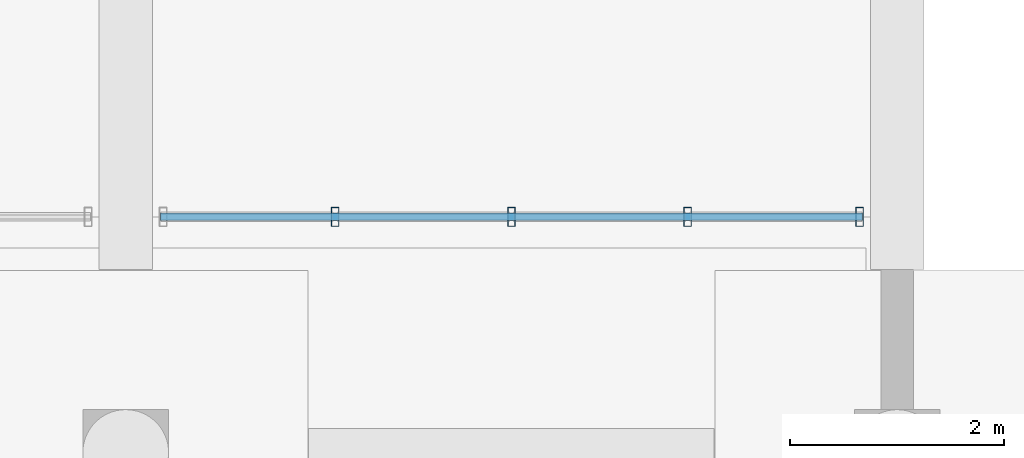
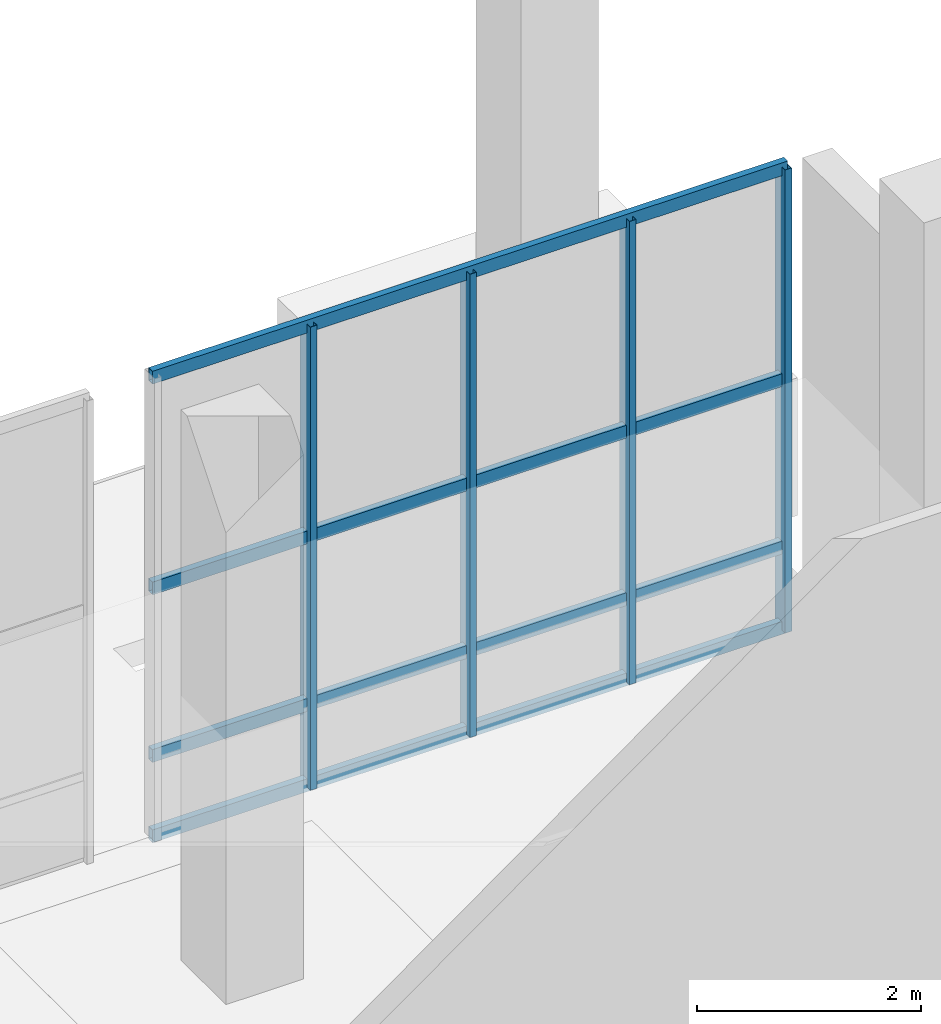
# One storey, part 22 of 45: 8 members, 1 element without a shape of its own.
"""IFC4 building model written with IfcOpenShell, lengths in metres."""

from ifc_helpers import new_model, si_unit, direction, frame, origin, origin_2d, place, context, subcontext, project, spatial, hollow_rectangle, extrude, material, material_profile, profile_set, type_object, element, aggregate, save


model = new_model("IFC4")

# Units and contexts
model_context = context("Model", 3, precision=1e-05, world=origin(), true_north=direction((0.0, 1.0)))
body_context = subcontext(model_context, "Body", "Model", "MODEL_VIEW")
ifc_project = project(units=[si_unit("LENGTHUNIT", "METRE"), si_unit("AREAUNIT", "SQUARE_METRE"), si_unit("VOLUMEUNIT", "CUBIC_METRE"), si_unit("PLANEANGLEUNIT", "RADIAN"), si_unit("MASSUNIT", "GRAM", prefix="KILO")], contexts=[model_context])

# Site, building, storey
site_placement = place(None, origin())
site = spatial("IfcSite", under=ifc_project, at=site_placement, CompositionType="ELEMENT")
building_placement = place(site_placement, origin())
building = spatial("IfcBuilding", under=site, at=building_placement, Name="Yarey Park Central Fire Station", CompositionType="ELEMENT")
storey_placement = place(building_placement, origin())
storey = spatial("IfcBuildingStorey", under=building, at=storey_placement, Name="L01", CompositionType="ELEMENT", Elevation=0.0)

# Curtain wall, members
ifc_material = material(Name="Anodized Aluminium Frame", Category="aluminium")
curtain_wall_type = type_object("IfcCurtainWallType", Name="ENV_CW_HQ_L01", PredefinedType="NOTDEFINED", material=ifc_material)
curtain_wall_placement = place(storey_placement, origin())
curtain_wall = element("IfcCurtainWall", 1, at=curtain_wall_placement, inside=storey, type_object=curtain_wall_type, Name="CW_L01_V4_N_7", PredefinedType="NOTDEFINED")
ifc_material_profile_1 = material_profile(ifc_material, hollow_rectangle(XDim=0.070068359375, YDim=0.179931640625, WallThickness=0.00390625, at=origin_2d()), Name="ALU 180x70x4")
ifc_profile_set_1 = profile_set([ifc_material_profile_1], Name="Anodized Aluminium Frame")
member_type_1 = type_object("IfcMemberType", Name="ENV_CW_MULLION", PredefinedType="MULLION", material=ifc_profile_set_1)
member_1_placement = place(storey_placement, frame((165.25, 110.199951171875, 0.0), z_axis=(0.0, 0.0, 1.0), x_axis=(1.0, 0.0, 0.0)))
member_1 = element("IfcMember", 2, at=member_1_placement, type_object=member_type_1, Name="CW_L01_V4_N_7_MUL1", PredefinedType="MULLION", context=body_context, shape_type="SweptSolid", body=[
    extrude(hollow_rectangle(XDim=0.070068359375, YDim=0.179931640625, WallThickness=0.00390625, at=origin_2d()), origin(), (0.0, 0.0, 1.0), 5.050048828125),
])
member_2_placement = place(storey_placement, frame((163.64501953125, 110.199951171875, 0.0), z_axis=(0.0, 0.0, 1.0), x_axis=(1.0, 0.0, 0.0)))
member_2 = element("IfcMember", 3, at=member_2_placement, type_object=member_type_1, Name="CW_L01_V4_N_7_MUL2", PredefinedType="MULLION", context=body_context, shape_type="SweptSolid", body=[
    extrude(hollow_rectangle(XDim=0.070068359375, YDim=0.179931640625, WallThickness=0.00390625, at=origin_2d()), origin(), (0.0, 0.0, 1.0), 5.050048828125),
])
member_3_placement = place(storey_placement, frame((162.0, 110.199951171875, 0.0), z_axis=(0.0, 0.0, 1.0), x_axis=(1.0, 0.0, 0.0)))
member_3 = element("IfcMember", 4, at=member_3_placement, type_object=member_type_1, Name="CW_L01_V4_N_7_MUL3", PredefinedType="MULLION", context=body_context, shape_type="SweptSolid", body=[
    extrude(hollow_rectangle(XDim=0.070068359375, YDim=0.179931640625, WallThickness=0.00390625, at=origin_2d()), origin(), (0.0, 0.0, 1.0), 5.050048828125),
])
member_4_placement = place(storey_placement, frame((160.35498046875, 110.199951171875, 0.0), z_axis=(0.0, 0.0, 1.0), x_axis=(1.0, 0.0, 0.0)))
member_4 = element("IfcMember", 5, at=member_4_placement, type_object=member_type_1, Name="CW_L01_V4_N_7_MUL4", PredefinedType="MULLION", context=body_context, shape_type="SweptSolid", body=[
    extrude(hollow_rectangle(XDim=0.070068359375, YDim=0.179931640625, WallThickness=0.00390625, at=origin_2d()), origin(), (0.0, 0.0, 1.0), 5.050048828125),
])
ifc_material_profile_2 = material_profile(ifc_material, hollow_rectangle(XDim=0.070068359375, YDim=0.139892578125, WallThickness=0.00390625, at=origin_2d()), Name="ALU 140x70x4")
ifc_profile_set_2 = profile_set([ifc_material_profile_2], Name="Anodized Aluminium Frame")
member_type_2 = type_object("IfcMemberType", Name="ENV_CW_TRANSOM", PredefinedType="USERDEFINED", material=ifc_profile_set_2)
member_5_placement = place(storey_placement, frame((165.27490234375, 110.199951171875, 0.02490234375), z_axis=(-1.0, 0.0, 0.0), x_axis=(0.0, -1.0, 0.0)))
member_5 = element("IfcMember", 6, at=member_5_placement, type_object=member_type_2, Name="CW_L01_V4_N_7_TRN1", ObjectType="TRANSOM", PredefinedType="USERDEFINED", context=body_context, shape_type="SweptSolid", body=[
    extrude(hollow_rectangle(XDim=0.070068359375, YDim=0.139892578125, WallThickness=0.00390625, at=origin_2d()), origin(), (0.0, 0.0, 1.0), 6.5498046875),
])
member_6_placement = place(storey_placement, frame((165.27490234375, 110.199951171875, 0.89990234375), z_axis=(-1.0, 0.0, 0.0), x_axis=(0.0, -1.0, 0.0)))
member_6 = element("IfcMember", 7, at=member_6_placement, type_object=member_type_2, Name="CW_L01_V4_N_7_TRN2", ObjectType="TRANSOM", PredefinedType="USERDEFINED", context=body_context, shape_type="SweptSolid", body=[
    extrude(hollow_rectangle(XDim=0.070068359375, YDim=0.139892578125, WallThickness=0.00390625, at=origin_2d()), origin(), (0.0, 0.0, 1.0), 6.5498046875),
])
member_7_placement = place(storey_placement, frame((165.27490234375, 110.199951171875, 2.72705078125), z_axis=(-1.0, 0.0, 0.0), x_axis=(0.0, -1.0, 0.0)))
member_7 = element("IfcMember", 8, at=member_7_placement, type_object=member_type_2, Name="CW_L01_V4_N_7_TRN3", ObjectType="TRANSOM", PredefinedType="USERDEFINED", context=body_context, shape_type="SweptSolid", body=[
    extrude(hollow_rectangle(XDim=0.070068359375, YDim=0.139892578125, WallThickness=0.00390625, at=origin_2d()), origin(), (0.0, 0.0, 1.0), 6.5498046875),
])
member_8_placement = place(storey_placement, frame((165.27490234375, 110.199951171875, 5.02490234375), z_axis=(-1.0, 0.0, 0.0), x_axis=(0.0, -1.0, 0.0)))
member_8 = element("IfcMember", 9, at=member_8_placement, type_object=member_type_2, Name="CW_L01_V4_N_7_TRN4", ObjectType="TRANSOM", PredefinedType="USERDEFINED", context=body_context, shape_type="SweptSolid", body=[
    extrude(hollow_rectangle(XDim=0.070068359375, YDim=0.139892578125, WallThickness=0.00390625, at=origin_2d()), origin(), (0.0, 0.0, 1.0), 6.5498046875),
])
aggregate(curtain_wall, [member_1, member_2, member_3, member_4, member_5, member_6, member_7, member_8])

save(model, "model.ifc")
